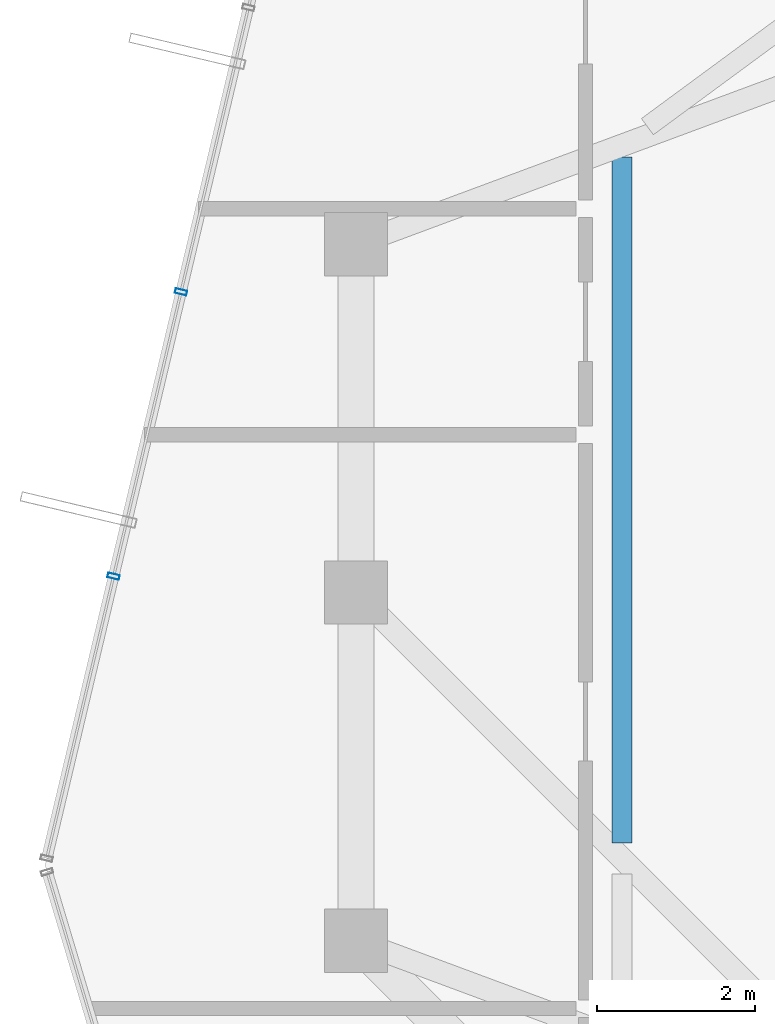
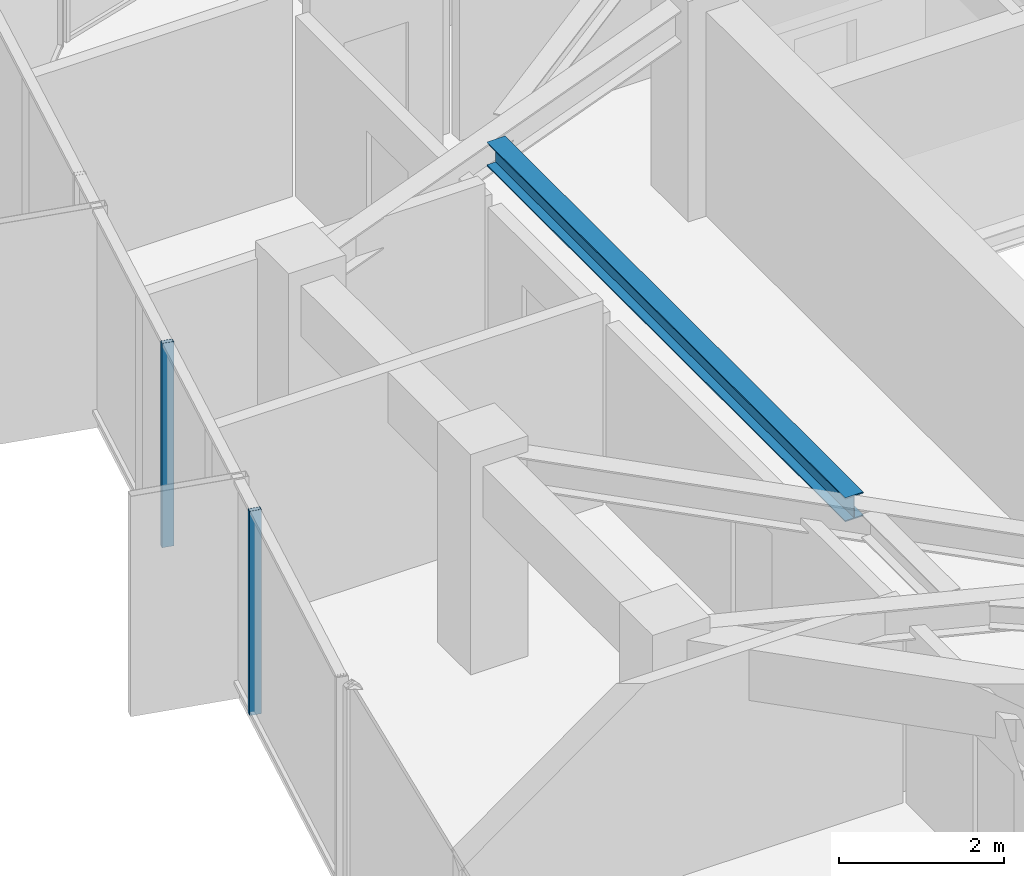
# One storey, part 11 of 28: 2 members, 1 beam, 1 element without a shape of its own.
"""IFC4 building model written with IfcOpenShell, lengths in metres."""

from ifc_helpers import new_model, si_unit, direction, frame, origin, origin_2d, place, context, subcontext, project, spatial, hollow_rectangle, i_section, extrude, source, transform, mapped, material, layer, layer_set, material_profile, profile_set, type_object, element, aggregate, save


model = new_model("IFC4")

# Units and contexts
model_context = context("Model", 3, precision=1e-05, world=origin(), true_north=direction((0.0, 1.0)))
body_context = subcontext(model_context, "Body", "Model", "MODEL_VIEW")
ifc_project = project(units=[si_unit("LENGTHUNIT", "METRE"), si_unit("AREAUNIT", "SQUARE_METRE"), si_unit("VOLUMEUNIT", "CUBIC_METRE"), si_unit("PLANEANGLEUNIT", "RADIAN"), si_unit("MASSUNIT", "GRAM", prefix="KILO")], contexts=[model_context])

# Site, building, storey
site_placement = place(None, origin())
site = spatial("IfcSite", under=ifc_project, at=site_placement, CompositionType="ELEMENT")
building_placement = place(site_placement, origin())
building = spatial("IfcBuilding", under=site, at=building_placement, Name="Veraguas Prism Commons", CompositionType="ELEMENT")
storey_placement = place(building_placement, frame((0.0, 0.0, 254.5)))
storey = spatial("IfcBuildingStorey", under=building, at=storey_placement, Name="L72", CompositionType="ELEMENT", Elevation=254.5)

# Beam
ifc_material_1 = material(Name="Steel ASTM A992 Grade 50", Category="steel")
ifc_material_profile_1 = material_profile(ifc_material_1, i_section(OverallWidth=0.25390625, OverallDepth=0.35302734375, WebThickness=0.009521484375, FlangeThickness=0.016357421875, at=origin_2d()), Name="W360X91")
ifc_profile_set_1 = profile_set([ifc_material_profile_1], Name="Steel ASTM A992 Grade 50")
beam_type = type_object("IfcBeamType", Name="Upper Floor Joist W360x91", PredefinedType="JOIST", material=ifc_profile_set_1)
beam_placement = place(storey_placement, frame((13.56005859375, 29.499267578125, 2.83837890625), z_axis=(0.0, -1.0, 0.0), x_axis=(1.0, 0.0, 0.0)))
element("IfcBeam", 1, at=beam_placement, inside=storey, type_object=beam_type, Name="Composite Floor Joist L72-JS07", PredefinedType="JOIST", context=body_context, shape_type="SweptSolid", body=[
    extrude(i_section(OverallWidth=0.25390625, OverallDepth=0.35302734375, WebThickness=0.009521484375, FlangeThickness=0.016357421875, at=origin_2d()), origin(), (0.0, 0.0, 1.0), 8.661865234375),
])

# Curtain wall, members
ifc_material_2 = material(Name="Anodised aluminium EN AW-6063 T6", Category="aluminium")
ifc_layer = layer(ifc_material_2, 0.14990234375, Name="Unitised Flush Curtain Wall Zone 4", Category="aluminium")
ifc_layer_set = layer_set([ifc_layer], Name="Anodised aluminium EN AW-6063 T6")
curtain_wall_type = type_object("IfcCurtainWallType", Name="Unitised Flush Curtain Wall Zone 4", PredefinedType="NOTDEFINED", material=ifc_layer_set)
curtain_wall_placement = place(storey_placement, origin())
curtain_wall = element("IfcCurtainWall", 2, at=curtain_wall_placement, inside=storey, type_object=curtain_wall_type, Name="Tower Facade Curtain Wall L72-F3", PredefinedType="NOTDEFINED")
ifc_material_profile_2 = material_profile(ifc_material_2, hollow_rectangle(XDim=0.06005859375, YDim=0.14990234375, WallThickness=0.0029296875, at=origin_2d()), Name="AL60X150X3")
ifc_profile_set_2 = profile_set([ifc_material_profile_2], Name="Anodised aluminium EN AW-6063 T6")
member_type = type_object("IfcMemberType", Name="Curtain Wall Mullion Upper AL 60x150x3", PredefinedType="MULLION", material=ifc_profile_set_2)
shared_shape = source(origin(), body_context, "Body", "SweptSolid", [
    extrude(hollow_rectangle(XDim=0.06005859375, YDim=0.14990234375, WallThickness=0.0029296875, at=origin_2d()), origin(), (0.0, 0.0, 1.0), 3.014892578125),
])
member_1_placement = place(storey_placement, frame((7.989501953125, 27.796630859375, 0.0), z_axis=(0.0, 0.0, 1.0), x_axis=(-0.230740975733, -0.973015211658, 0.0)))
member_1 = element("IfcMember", 3, at=member_1_placement, type_object=member_type, Name="CW-Z4 Mullion 3", PredefinedType="MULLION", context=body_context, shape_type="MappedRepresentation", body=[
    mapped(shared_shape, transform((0.0, 0.0, 0.0), scale=1.0)),
])
member_2_placement = place(storey_placement, frame((7.1376953125, 24.20458984375, 0.0), z_axis=(0.0, 0.0, 1.0), x_axis=(-0.230740975733, -0.973015211658, 0.0)))
member_2 = element("IfcMember", 4, at=member_2_placement, type_object=member_type, Name="CW-Z4 Mullion 4", PredefinedType="MULLION", context=body_context, shape_type="MappedRepresentation", body=[
    mapped(shared_shape, transform((0.0, 0.0, 0.0), scale=1.0)),
])
aggregate(curtain_wall, [member_1, member_2])

save(model, "model.ifc")
